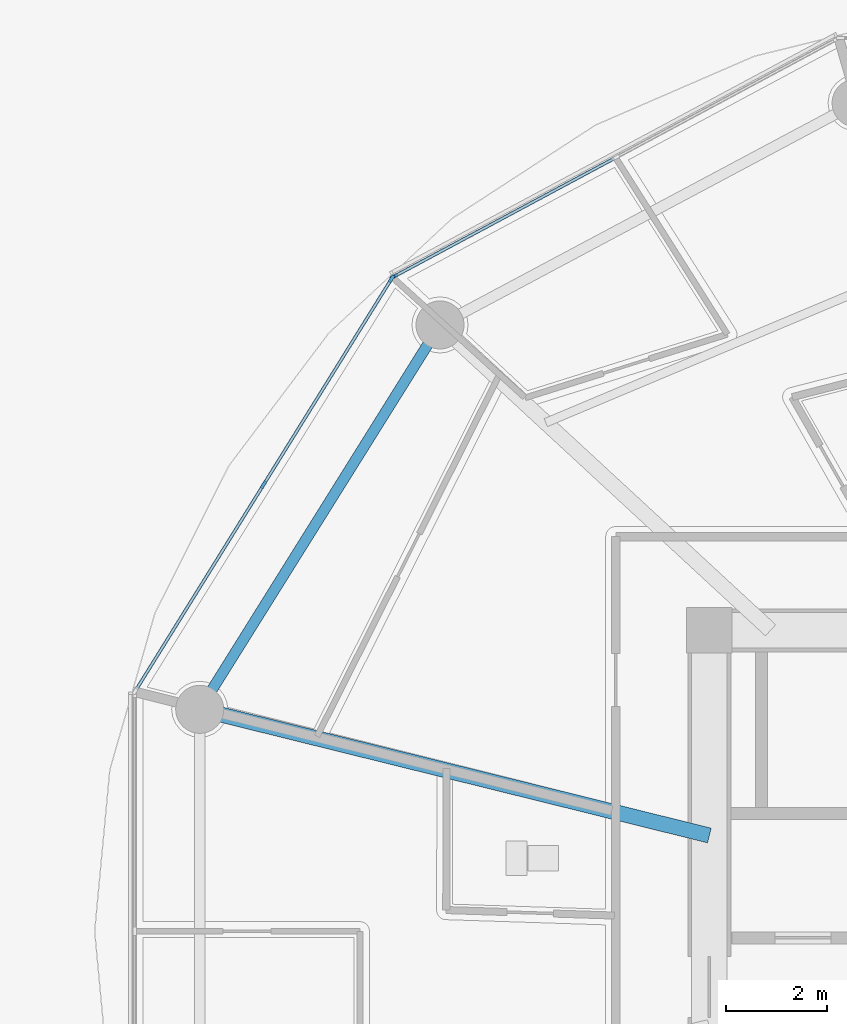
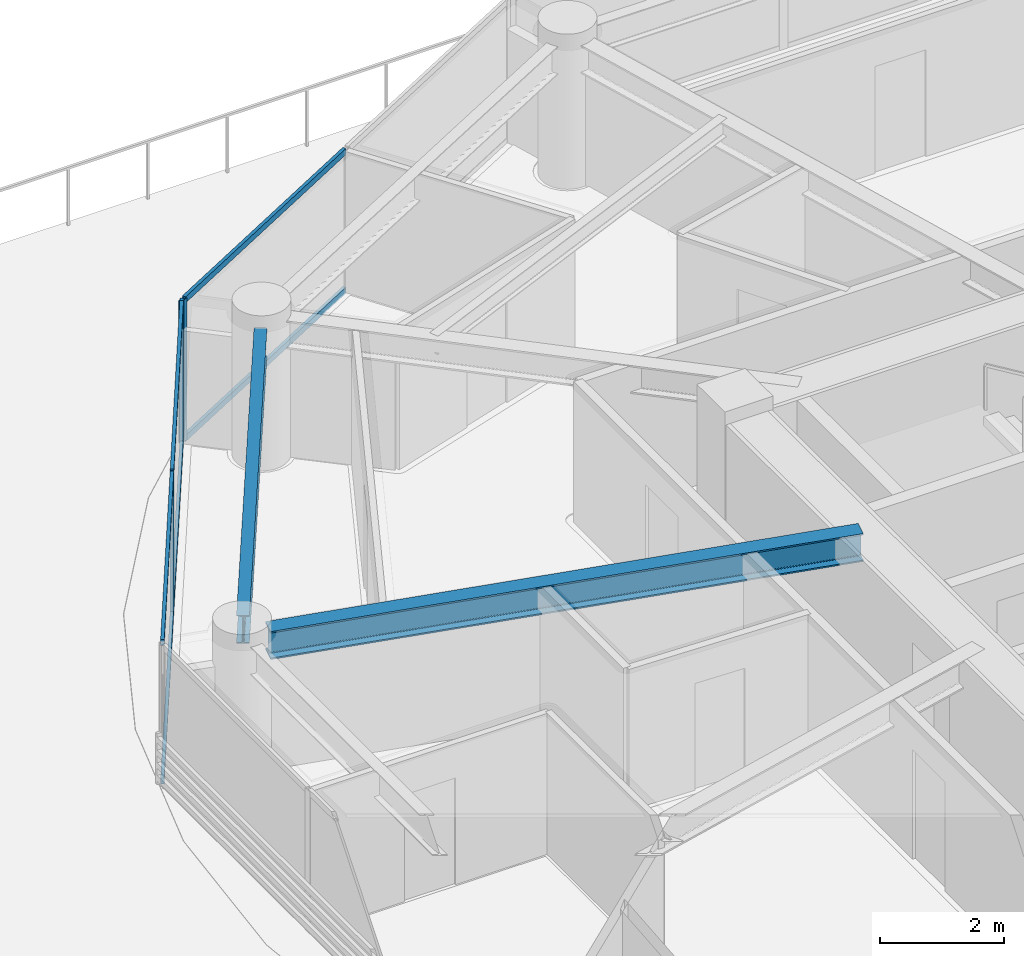
# One storey, part 8 of 32: 9 members, 2 beams, 2 elements without a shape of their own.
"""IFC4 building model written with IfcOpenShell, lengths in metres."""

from ifc_helpers import new_model, si_unit, direction, frame, origin, origin_2d, place, context, subcontext, project, spatial, rectangle, i_section, extrude, source, transform, mapped, material, layer, layer_set, material_profile, profile_set, type_object, type_shapes, element, aggregate, save


model = new_model("IFC4")

# Units and contexts
model_context = context("Model", 3, precision=1e-05, world=origin(), true_north=direction((0.0, 1.0)))
body_context = subcontext(model_context, "Body", "Model", "MODEL_VIEW")
ifc_project = project(units=[si_unit("LENGTHUNIT", "METRE"), si_unit("AREAUNIT", "SQUARE_METRE"), si_unit("VOLUMEUNIT", "CUBIC_METRE"), si_unit("PLANEANGLEUNIT", "RADIAN"), si_unit("MASSUNIT", "GRAM", prefix="KILO")], contexts=[model_context])

# Site, building, storey
site_placement = place(None, origin())
site = spatial("IfcSite", under=ifc_project, at=site_placement, CompositionType="ELEMENT")
building_placement = place(site_placement, origin())
building = spatial("IfcBuilding", under=site, at=building_placement, Name="Norrkilde Senior Care Towers", CompositionType="ELEMENT")
storey_placement = place(building_placement, frame((0.0, 0.0, 21.60009765625)))
storey = spatial("IfcBuildingStorey", under=building, at=storey_placement, Name="L05", CompositionType="ELEMENT", Elevation=21.60009765625)

# Beams
ifc_material_1 = material(Name="Steel S355", Category="steel")
ifc_material_profile_1 = material_profile(ifc_material_1, i_section(OverallWidth=0.2099609375, OverallDepth=0.550048828125, WebThickness=0.010986328125, FlangeThickness=0.01708984375, FilletRadius=0.02392578125, at=origin_2d()), Name="IPE 550")
ifc_profile_set_1 = profile_set([ifc_material_profile_1], Name="Steel S355")
beam_type_1 = type_object("IfcBeamType", Name="Perimeter Ring Spandrel Z1 IPE550", PredefinedType="SPANDREL", material=ifc_profile_set_1)
shared_shape_1 = source(origin(), body_context, "Body", "SweptSolid", [
    extrude(i_section(OverallWidth=0.2099609375, OverallDepth=0.550048828125, WebThickness=0.010986328125, FlangeThickness=0.01708984375, FilletRadius=0.02392578125, at=origin_2d()), origin(), (0.0, 0.0, 1.0), 8.090576171875),
])
type_shapes(beam_type_1, [shared_shape_1])
beam_1_placement = place(storey_placement, frame((14.7939453125, 11.61669921875, 2.514892578125), z_axis=(-0.530004364821, -0.84799491347, 0.0), x_axis=(0.84799491347, -0.530004364821, 0.0)))
element("IfcBeam", 1, at=beam_1_placement, inside=storey, type_object=beam_type_1, Name="L05 Drum E Perimeter Spandrel 05", PredefinedType="SPANDREL", context=body_context, shape_type="MappedRepresentation", body=[
    mapped(shared_shape_1, transform((0.0, 0.0, 0.0), x_axis=(1.0, 0.0, 0.0), y_axis=(0.0, 1.0, 0.0), z_axis=(0.0, 0.0, 1.0), scale=1.0)),
])
ifc_material_profile_2 = material_profile(ifc_material_1, i_section(OverallWidth=0.300048828125, OverallDepth=0.550048828125, WebThickness=0.014892578125, FlangeThickness=0.029052734375, FilletRadius=0.027099609375, at=origin_2d()), Name="HEB 550")
ifc_profile_set_2 = profile_set([ifc_material_profile_2], Name="Steel S355")
beam_type_2 = type_object("IfcBeamType", Name="Radial Floor Beam Z1 HEB550", PredefinedType="BEAM", material=ifc_profile_set_2)
shared_shape_2 = source(origin(), body_context, "Body", "SweptSolid", [
    extrude(i_section(OverallWidth=0.300048828125, OverallDepth=0.550048828125, WebThickness=0.014892578125, FlangeThickness=0.029052734375, FilletRadius=0.027099609375, at=origin_2d()), origin(), (0.0, 0.0, 1.0), 9.94384765625),
])
type_shapes(beam_type_2, [shared_shape_2])
beam_2_placement = place(storey_placement, frame((20.35009765625, 1.893310546875, 2.514892578125), z_axis=(-0.970707425182, 0.240264634718, 0.0), x_axis=(-0.240264634718, -0.970707425182, 0.0)))
element("IfcBeam", 2, at=beam_2_placement, inside=storey, type_object=beam_type_2, Name="L05 Drum E Radial Floor Beam 06", PredefinedType="BEAM", context=body_context, shape_type="MappedRepresentation", body=[
    mapped(shared_shape_2, transform((0.0, 0.0, 0.0), x_axis=(1.0, 0.0, 0.0), y_axis=(0.0, 1.0, 0.0), z_axis=(0.0, 0.0, 1.0), scale=1.0)),
])

# Curtain wall, member
ifc_material_2 = material(Name="Triple Low-E Insulated Glazing", Category="glass")
ifc_layer = layer(ifc_material_2, 0.199951171875)
ifc_layer_set = layer_set([ifc_layer], Name="Triple Low-E Insulated Glazing")
curtain_wall_type = type_object("IfcCurtainWallType", Name="CW2 Zone 1 Memory Care Curtain Wall", PredefinedType="NOTDEFINED", material=ifc_layer_set)
curtain_wall_1_placement = place(storey_placement, origin())
curtain_wall_1 = element("IfcCurtainWall", 3, at=curtain_wall_1_placement, inside=storey, type_object=curtain_wall_type, Name="L05 Drum E Curtain Wall 03", PredefinedType="NOTDEFINED")
ifc_material_3 = material(Name="Anodised Aluminium", Category="aluminium")
ifc_material_profile_3 = material_profile(ifc_material_3, rectangle(XDim=0.06494140625, YDim=0.159912109375, at=origin_2d()), Name="ALU MULL 65x160")
ifc_profile_set_3 = profile_set([ifc_material_profile_3], Name="Anodised Aluminium")
member_type_1 = type_object("IfcMemberType", Name="Curtain Wall Mullion Z1-Z2 65x160", PredefinedType="MULLION", material=ifc_profile_set_3)
shared_shape_3 = source(origin(), body_context, "Body", "SweptSolid", [
    extrude(rectangle(XDim=0.06494140625, YDim=0.159912109375, at=origin_2d()), origin(), (0.0, 0.0, 1.0), 2.789794921875),
])
type_shapes(member_type_1, [shared_shape_3])
member_1_placement = place(storey_placement, frame((14.11279296875, 12.941162109375, 0.0), z_axis=(0.0, 0.0, 1.0), x_axis=(-0.472607802456, 0.881272866403, 0.0)))
member_1 = element("IfcMember", 4, at=member_1_placement, type_object=member_type_1, Name="CW-2 mullion 1", PredefinedType="MULLION", context=body_context, shape_type="MappedRepresentation", body=[
    mapped(shared_shape_3, transform((0.0, 0.0, 0.0), x_axis=(1.0, 0.0, 0.0), y_axis=(0.0, 1.0, 0.0), z_axis=(0.0, 0.0, 1.0), scale=1.0)),
])

# Curtain wall, members
curtain_wall_2_placement = place(storey_placement, origin())
curtain_wall_2 = element("IfcCurtainWall", 5, at=curtain_wall_2_placement, inside=storey, type_object=curtain_wall_type, Name="L05 Drum E Curtain Wall 04", PredefinedType="NOTDEFINED")
member_2_placement = place(storey_placement, frame((11.537353515625, 8.82861328125, 0.0), z_axis=(0.0, 0.0, 1.0), x_axis=(-0.849305943117, 0.527900951871, 0.0)))
member_2 = element("IfcMember", 6, at=member_2_placement, type_object=member_type_1, Name="CW-2 mullion 2", PredefinedType="MULLION", context=body_context, shape_type="MappedRepresentation", body=[
    mapped(shared_shape_3, transform((0.0, 0.0, 0.0), x_axis=(1.0, 0.0, 0.0), y_axis=(0.0, 1.0, 0.0), z_axis=(0.0, 0.0, 1.0), scale=1.0)),
])
member_3_placement = place(storey_placement, frame((14.06689453125, 12.898193359375, 0.0), z_axis=(0.0, 0.0, 1.0), x_axis=(-0.849305943117, 0.527900951871, 0.0)))
member_3 = element("IfcMember", 7, at=member_3_placement, type_object=member_type_1, Name="CW-2 mullion 3", PredefinedType="MULLION", context=body_context, shape_type="MappedRepresentation", body=[
    mapped(shared_shape_3, transform((0.0, 0.0, 0.0), x_axis=(1.0, 0.0, 0.0), y_axis=(0.0, 1.0, 0.0), z_axis=(0.0, 0.0, 1.0), scale=1.0)),
])

# Member
ifc_material_profile_4 = material_profile(ifc_material_3, rectangle(XDim=0.06005859375, YDim=0.1201171875, at=origin_2d()), Name="ALU TRAN 60x120")
ifc_profile_set_4 = profile_set([ifc_material_profile_4], Name="Anodised Aluminium")
member_type_2 = type_object("IfcMemberType", Name="Curtain Wall Transom Typical 60x120", PredefinedType="USERDEFINED", material=ifc_profile_set_4)
shared_shape_4 = source(origin(), body_context, "Body", "SweptSolid", [
    extrude(rectangle(XDim=0.06005859375, YDim=0.1201171875, at=origin_2d()), origin(), (0.0, 0.0, 1.0), 4.907958984375),
])
member_4_placement = place(storey_placement, frame((14.141357421875, 12.95654296875, 0.02978515625), z_axis=(0.881266902561, 0.472618923077, 0.0), x_axis=(-0.472618923077, 0.881266902561, 0.0)))
member_4 = element("IfcMember", 8, at=member_4_placement, type_object=member_type_2, Name="CW-2 transom 1.1", ObjectType="TRANSOM", PredefinedType="USERDEFINED", context=body_context, shape_type="MappedRepresentation", body=[
    mapped(shared_shape_4, transform((0.0, 0.0, 0.0), x_axis=(1.0, 0.0, 0.0), y_axis=(0.0, 1.0, 0.0), z_axis=(0.0, 0.0, 1.0), scale=1.0)),
])

member_5_placement = place(storey_placement, frame((14.141357421875, 12.95654296875, 2.760009765625), z_axis=(0.881266902561, 0.472618923077, 0.0), x_axis=(-0.472618923077, 0.881266902561, 0.0)))
member_5 = element("IfcMember", 9, at=member_5_placement, type_object=member_type_2, Name="CW-2 transom 1.2", ObjectType="TRANSOM", PredefinedType="USERDEFINED", context=body_context, shape_type="MappedRepresentation", body=[
    mapped(shared_shape_4, transform((0.0, 0.0, 0.0), x_axis=(1.0, 0.0, 0.0), y_axis=(0.0, 1.0, 0.0), z_axis=(0.0, 0.0, 1.0), scale=1.0)),
])

aggregate(curtain_wall_1, [member_1, member_4, member_5])

shared_shape_5 = source(origin(), body_context, "Body", "SweptSolid", [
    extrude(rectangle(XDim=0.06005859375, YDim=0.1201171875, at=origin_2d()), origin(), (0.0, 0.0, 1.0), 4.72705078125),
])
member_6_placement = place(storey_placement, frame((9.02490234375, 4.786376953125, 0.02978515625), z_axis=(0.527898881076, 0.849307230252, 0.0), x_axis=(-0.849307230252, 0.527898881076, 0.0)))
member_6 = element("IfcMember", 10, at=member_6_placement, type_object=member_type_2, Name="CW-2 transom 1.1", ObjectType="TRANSOM", PredefinedType="USERDEFINED", context=body_context, shape_type="MappedRepresentation", body=[
    mapped(shared_shape_5, transform((0.0, 0.0, 0.0), x_axis=(1.0, 0.0, 0.0), y_axis=(0.0, 1.0, 0.0), z_axis=(0.0, 0.0, 1.0), scale=1.0)),
])

member_7_placement = place(storey_placement, frame((9.02490234375, 4.786376953125, 2.760009765625), z_axis=(0.527898881076, 0.849307230252, 0.0), x_axis=(-0.849307230252, 0.527898881076, 0.0)))
member_7 = element("IfcMember", 11, at=member_7_placement, type_object=member_type_2, Name="CW-2 transom 1.2", ObjectType="TRANSOM", PredefinedType="USERDEFINED", context=body_context, shape_type="MappedRepresentation", body=[
    mapped(shared_shape_5, transform((0.0, 0.0, 0.0), x_axis=(1.0, 0.0, 0.0), y_axis=(0.0, 1.0, 0.0), z_axis=(0.0, 0.0, 1.0), scale=1.0)),
])

shared_shape_6 = source(origin(), body_context, "Body", "SweptSolid", [
    extrude(rectangle(XDim=0.06005859375, YDim=0.1201171875, at=origin_2d()), origin(), (0.0, 0.0, 1.0), 4.726806640625),
])
type_shapes(member_type_2, [shared_shape_4, shared_shape_5, shared_shape_6])
member_8_placement = place(storey_placement, frame((11.554443359375, 8.856201171875, 0.02978515625), z_axis=(0.527922038395, 0.849292836056, 0.0), x_axis=(-0.849292836056, 0.527922038395, 0.0)))
member_8 = element("IfcMember", 12, at=member_8_placement, type_object=member_type_2, Name="CW-2 transom 2.1", ObjectType="TRANSOM", PredefinedType="USERDEFINED", context=body_context, shape_type="MappedRepresentation", body=[
    mapped(shared_shape_6, transform((0.0, 0.0, 0.0), x_axis=(1.0, 0.0, 0.0), y_axis=(0.0, 1.0, 0.0), z_axis=(0.0, 0.0, 1.0), scale=1.0)),
])

member_9_placement = place(storey_placement, frame((11.554443359375, 8.856201171875, 2.760009765625), z_axis=(0.527922038395, 0.849292836056, 0.0), x_axis=(-0.849292836056, 0.527922038395, 0.0)))
member_9 = element("IfcMember", 13, at=member_9_placement, type_object=member_type_2, Name="CW-2 transom 2.2", ObjectType="TRANSOM", PredefinedType="USERDEFINED", context=body_context, shape_type="MappedRepresentation", body=[
    mapped(shared_shape_6, transform((0.0, 0.0, 0.0), x_axis=(1.0, 0.0, 0.0), y_axis=(0.0, 1.0, 0.0), z_axis=(0.0, 0.0, 1.0), scale=1.0)),
])

aggregate(curtain_wall_2, [member_2, member_3, member_6, member_7, member_8, member_9])

save(model, "model.ifc")
